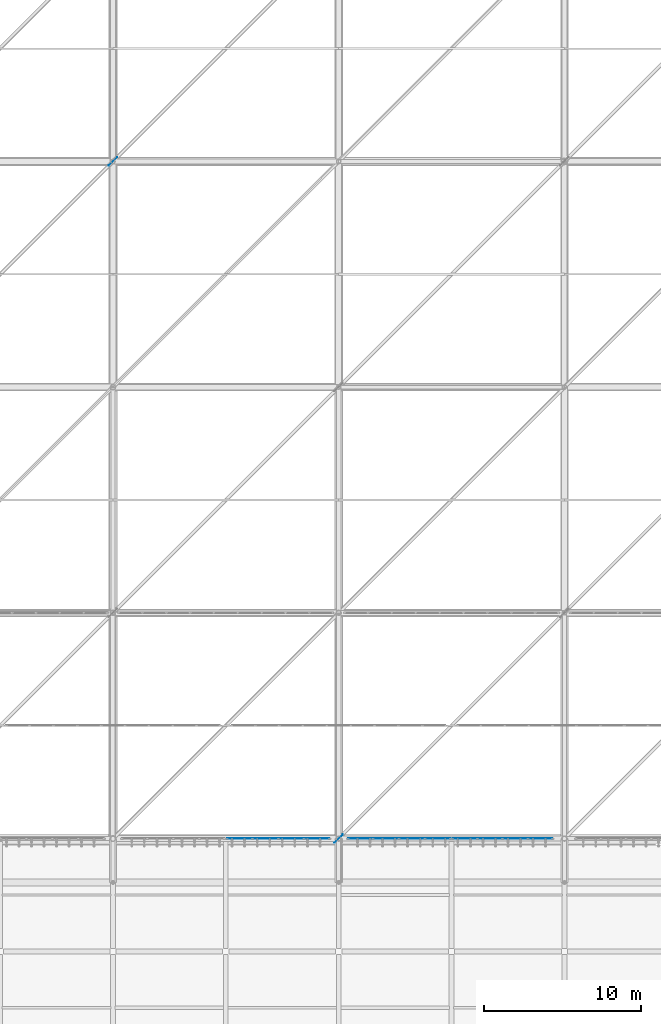
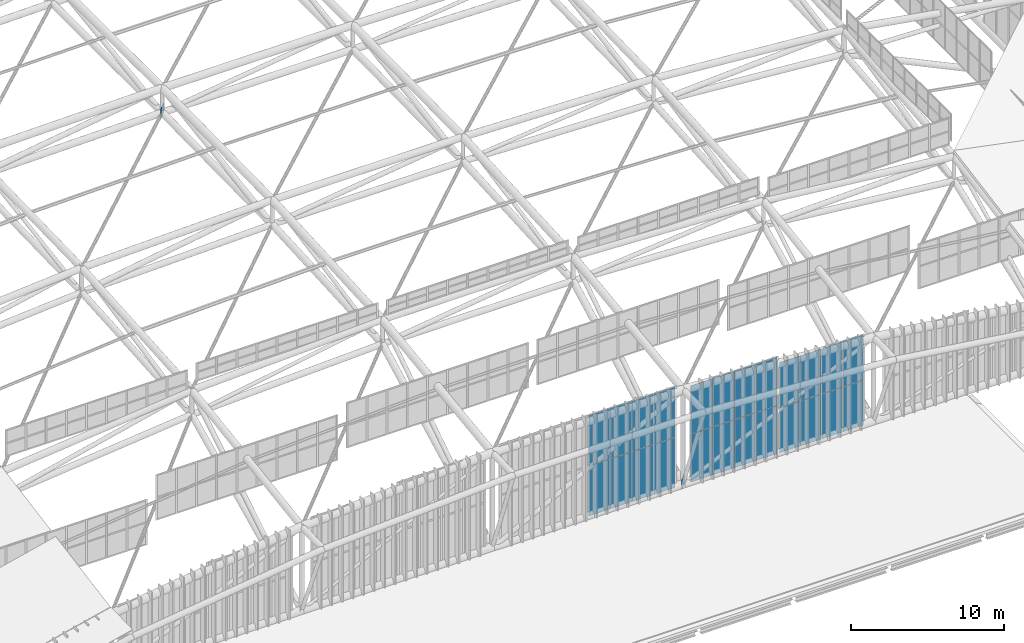
# One storey, part 364 of 397: 26 plates, 3 elements without a shape of their own.
"""IFC4 building model written with IfcOpenShell, lengths in metres."""

from ifc_helpers import new_model, si_unit, direction, frame, origin, origin_2d, place, context, subcontext, project, spatial, rectangle, extrude, material, layer, layer_set, type_object, element, aggregate, save


model = new_model("IFC4")

# Units and contexts
model_context = context("Model", 3, precision=1e-05, world=origin(), true_north=direction((0.0, 1.0)))
body_context = subcontext(model_context, "Body", "Model", "MODEL_VIEW")
ifc_project = project(units=[si_unit("LENGTHUNIT", "METRE"), si_unit("AREAUNIT", "SQUARE_METRE"), si_unit("VOLUMEUNIT", "CUBIC_METRE"), si_unit("PLANEANGLEUNIT", "RADIAN"), si_unit("MASSUNIT", "GRAM", prefix="KILO")], contexts=[model_context])

# Site, building, storey
site_placement = place(None, origin())
site = spatial("IfcSite", under=ifc_project, at=site_placement, CompositionType="ELEMENT")
building_placement = place(site_placement, origin())
building = spatial("IfcBuilding", under=site, at=building_placement, Name="Qandorah Velis Arena", CompositionType="ELEMENT")
storey_placement = place(building_placement, frame((0.0, 0.0, 27.5)))
storey = spatial("IfcBuildingStorey", under=building, at=storey_placement, Name="RF", CompositionType="ELEMENT", Elevation=27.5)

# Curtain wall, plates
ifc_material_1 = material(Name="Solar-control low-E double glazing", Category="glass")
curtain_wall_type_1 = type_object("IfcCurtainWallType", Name="ARC-CW-SYS21", PredefinedType="USERDEFINED", material=ifc_material_1)
curtain_wall_1_placement = place(storey_placement, origin())
curtain_wall_1 = element("IfcCurtainWall", 1, at=curtain_wall_1_placement, inside=storey, type_object=curtain_wall_type_1, Name="Unitised curtain wall CROWN-3-04S2", ObjectType="UNITISED CURTAIN WALL", PredefinedType="USERDEFINED")
ifc_layer_1 = layer(ifc_material_1, 0.035888671875)
ifc_layer_set_1 = layer_set([ifc_layer_1], Name="Solar-control low-E double glazing")
plate_type_1 = type_object("IfcPlateType", Name="ARC-CWP-GLZ36", PredefinedType="CURTAIN_PANEL", material=ifc_layer_set_1)
plate_1_placement = place(storey_placement, frame((65.68115234375, 14.39990234375, 0.050048828125), z_axis=(0.0, 0.0, 1.0), x_axis=(1.0, 0.0, 0.0)))
plate_1 = element("IfcPlate", 2, at=plate_1_placement, type_object=plate_type_1, Name="CW21 panel 1.1", PredefinedType="CURTAIN_PANEL", context=body_context, shape_type="SweptSolid", body=[
    extrude(rectangle(XDim=1.58251953125, YDim=0.035888671875, at=origin_2d()), origin(), (0.0, 0.0, 1.0), 3.990234375),
])
plate_2_placement = place(storey_placement, frame((65.68115234375, 14.39990234375, 4.080078125), z_axis=(0.0, 0.0, 1.0), x_axis=(1.0, 0.0, 0.0)))
plate_2 = element("IfcPlate", 3, at=plate_2_placement, type_object=plate_type_1, Name="CW21 panel 1.2", PredefinedType="CURTAIN_PANEL", context=body_context, shape_type="SweptSolid", body=[
    extrude(rectangle(XDim=1.58251953125, YDim=0.035888671875, at=origin_2d()), origin(), (0.0, 0.0, 1.0), 3.990478515625),
])
plate_3_placement = place(storey_placement, frame((67.31884765625, 14.39990234375, 0.050048828125), z_axis=(0.0, 0.0, 1.0), x_axis=(1.0, 0.0, 0.0)))
plate_3 = element("IfcPlate", 4, at=plate_3_placement, type_object=plate_type_1, Name="CW21 panel 2.1", PredefinedType="CURTAIN_PANEL", context=body_context, shape_type="SweptSolid", body=[
    extrude(rectangle(XDim=1.612548828125, YDim=0.035888671875, at=origin_2d()), origin(), (0.0, 0.0, 1.0), 3.990234375),
])
plate_4_placement = place(storey_placement, frame((67.31884765625, 14.39990234375, 4.080078125), z_axis=(0.0, 0.0, 1.0), x_axis=(1.0, 0.0, 0.0)))
plate_4 = element("IfcPlate", 5, at=plate_4_placement, type_object=plate_type_1, Name="CW21 panel 2.2", PredefinedType="CURTAIN_PANEL", context=body_context, shape_type="SweptSolid", body=[
    extrude(rectangle(XDim=1.612548828125, YDim=0.035888671875, at=origin_2d()), origin(), (0.0, 0.0, 1.0), 3.990478515625),
])
plate_5_placement = place(storey_placement, frame((68.97119140625, 14.39990234375, 0.050048828125), z_axis=(0.0, 0.0, 1.0), x_axis=(1.0, 0.0, 0.0)))
plate_5 = element("IfcPlate", 6, at=plate_5_placement, type_object=plate_type_1, Name="CW21 panel 3.1", PredefinedType="CURTAIN_PANEL", context=body_context, shape_type="SweptSolid", body=[
    extrude(rectangle(XDim=1.612548828125, YDim=0.035888671875, at=origin_2d()), origin(), (0.0, 0.0, 1.0), 3.990234375),
])
plate_6_placement = place(storey_placement, frame((68.97119140625, 14.39990234375, 4.080078125), z_axis=(0.0, 0.0, 1.0), x_axis=(1.0, 0.0, 0.0)))
plate_6 = element("IfcPlate", 7, at=plate_6_placement, type_object=plate_type_1, Name="CW21 panel 3.2", PredefinedType="CURTAIN_PANEL", context=body_context, shape_type="SweptSolid", body=[
    extrude(rectangle(XDim=1.612548828125, YDim=0.035888671875, at=origin_2d()), origin(), (0.0, 0.0, 1.0), 3.990478515625),
])
plate_7_placement = place(storey_placement, frame((70.608642578125, 14.39990234375, 0.050048828125), z_axis=(0.0, 0.0, 1.0), x_axis=(1.0, 0.0, 0.0)))
plate_7 = element("IfcPlate", 8, at=plate_7_placement, type_object=plate_type_1, Name="CW21 panel 4.1", PredefinedType="CURTAIN_PANEL", context=body_context, shape_type="SweptSolid", body=[
    extrude(rectangle(XDim=1.58251953125, YDim=0.035888671875, at=origin_2d()), origin(), (0.0, 0.0, 1.0), 3.990234375),
])
plate_8_placement = place(storey_placement, frame((70.608642578125, 14.39990234375, 4.080078125), z_axis=(0.0, 0.0, 1.0), x_axis=(1.0, 0.0, 0.0)))
plate_8 = element("IfcPlate", 9, at=plate_8_placement, type_object=plate_type_1, Name="CW21 panel 4.2", PredefinedType="CURTAIN_PANEL", context=body_context, shape_type="SweptSolid", body=[
    extrude(rectangle(XDim=1.58251953125, YDim=0.035888671875, at=origin_2d()), origin(), (0.0, 0.0, 1.0), 3.990478515625),
])
aggregate(curtain_wall_1, [plate_1, plate_2, plate_3, plate_4, plate_5, plate_6, plate_7, plate_8])

curtain_wall_2_placement = place(storey_placement, origin())
curtain_wall_2 = element("IfcCurtainWall", 10, at=curtain_wall_2_placement, inside=storey, type_object=curtain_wall_type_1, Name="Unitised curtain wall CROWN-3-05S1", ObjectType="UNITISED CURTAIN WALL", PredefinedType="USERDEFINED")
plate_9_placement = place(storey_placement, frame((73.391357421875, 14.39990234375, 0.0498046875), z_axis=(0.0, 0.0, 1.0), x_axis=(1.0, 0.0, 0.0)))
plate_9 = element("IfcPlate", 11, at=plate_9_placement, type_object=plate_type_1, Name="CW21 panel 1.1", PredefinedType="CURTAIN_PANEL", context=body_context, shape_type="SweptSolid", body=[
    extrude(rectangle(XDim=1.58251953125, YDim=0.035888671875, at=origin_2d()), origin(), (0.0, 0.0, 1.0), 3.828369140625),
])
plate_10_placement = place(storey_placement, frame((73.391357421875, 14.39990234375, 3.91845703125), z_axis=(0.0, 0.0, 1.0), x_axis=(1.0, 0.0, 0.0)))
plate_10 = element("IfcPlate", 12, at=plate_10_placement, type_object=plate_type_1, Name="CW21 panel 1.2", PredefinedType="CURTAIN_PANEL", context=body_context, shape_type="SweptSolid", body=[
    extrude(rectangle(XDim=1.58251953125, YDim=0.035888671875, at=origin_2d()), origin(), (0.0, 0.0, 1.0), 3.828125),
])
plate_11_placement = place(storey_placement, frame((75.02880859375, 14.39990234375, 0.0498046875), z_axis=(0.0, 0.0, 1.0), x_axis=(1.0, 0.0, 0.0)))
plate_11 = element("IfcPlate", 13, at=plate_11_placement, type_object=plate_type_1, Name="CW21 panel 2.1", PredefinedType="CURTAIN_PANEL", context=body_context, shape_type="SweptSolid", body=[
    extrude(rectangle(XDim=1.612548828125, YDim=0.035888671875, at=origin_2d()), origin(), (0.0, 0.0, 1.0), 3.828369140625),
])
plate_12_placement = place(storey_placement, frame((75.02880859375, 14.39990234375, 3.91845703125), z_axis=(0.0, 0.0, 1.0), x_axis=(1.0, 0.0, 0.0)))
plate_12 = element("IfcPlate", 14, at=plate_12_placement, type_object=plate_type_1, Name="CW21 panel 2.2", PredefinedType="CURTAIN_PANEL", context=body_context, shape_type="SweptSolid", body=[
    extrude(rectangle(XDim=1.612548828125, YDim=0.035888671875, at=origin_2d()), origin(), (0.0, 0.0, 1.0), 3.828125),
])
plate_13_placement = place(storey_placement, frame((76.68115234375, 14.39990234375, 0.0498046875), z_axis=(0.0, 0.0, 1.0), x_axis=(1.0, 0.0, 0.0)))
plate_13 = element("IfcPlate", 15, at=plate_13_placement, type_object=plate_type_1, Name="CW21 panel 3.1", PredefinedType="CURTAIN_PANEL", context=body_context, shape_type="SweptSolid", body=[
    extrude(rectangle(XDim=1.612548828125, YDim=0.035888671875, at=origin_2d()), origin(), (0.0, 0.0, 1.0), 3.828369140625),
])
plate_14_placement = place(storey_placement, frame((76.68115234375, 14.39990234375, 3.91845703125), z_axis=(0.0, 0.0, 1.0), x_axis=(1.0, 0.0, 0.0)))
plate_14 = element("IfcPlate", 16, at=plate_14_placement, type_object=plate_type_1, Name="CW21 panel 3.2", PredefinedType="CURTAIN_PANEL", context=body_context, shape_type="SweptSolid", body=[
    extrude(rectangle(XDim=1.612548828125, YDim=0.035888671875, at=origin_2d()), origin(), (0.0, 0.0, 1.0), 3.828125),
])
plate_15_placement = place(storey_placement, frame((78.31884765625, 14.39990234375, 0.0498046875), z_axis=(0.0, 0.0, 1.0), x_axis=(1.0, 0.0, 0.0)))
plate_15 = element("IfcPlate", 17, at=plate_15_placement, type_object=plate_type_1, Name="CW21 panel 4.1", PredefinedType="CURTAIN_PANEL", context=body_context, shape_type="SweptSolid", body=[
    extrude(rectangle(XDim=1.58251953125, YDim=0.035888671875, at=origin_2d()), origin(), (0.0, 0.0, 1.0), 3.828369140625),
])
plate_16_placement = place(storey_placement, frame((78.31884765625, 14.39990234375, 3.91845703125), z_axis=(0.0, 0.0, 1.0), x_axis=(1.0, 0.0, 0.0)))
plate_16 = element("IfcPlate", 18, at=plate_16_placement, type_object=plate_type_1, Name="CW21 panel 4.2", PredefinedType="CURTAIN_PANEL", context=body_context, shape_type="SweptSolid", body=[
    extrude(rectangle(XDim=1.58251953125, YDim=0.035888671875, at=origin_2d()), origin(), (0.0, 0.0, 1.0), 3.828125),
])
aggregate(curtain_wall_2, [plate_9, plate_10, plate_11, plate_12, plate_13, plate_14, plate_15, plate_16])

curtain_wall_type_2 = type_object("IfcCurtainWallType", Name="ARC-CW-SYS22", PredefinedType="USERDEFINED", material=ifc_material_1)
curtain_wall_3_placement = place(storey_placement, origin())
curtain_wall_3 = element("IfcCurtainWall", 19, at=curtain_wall_3_placement, inside=storey, type_object=curtain_wall_type_2, Name="Unitised curtain wall CROWN-3-05S2", ObjectType="UNITISED CURTAIN WALL", PredefinedType="USERDEFINED")
plate_17_placement = place(storey_placement, frame((80.059326171875, 14.39990234375, 0.0498046875), z_axis=(0.0, 0.0, 1.0), x_axis=(1.0, 0.0, 0.0)))
plate_17 = element("IfcPlate", 20, at=plate_17_placement, type_object=plate_type_1, Name="CW22 panel 1.1", PredefinedType="CURTAIN_PANEL", context=body_context, shape_type="SweptSolid", body=[
    extrude(rectangle(XDim=1.538818359375, YDim=0.035888671875, at=origin_2d()), origin(), (0.0, 0.0, 1.0), 3.579833984375),
])
plate_18_placement = place(storey_placement, frame((80.059326171875, 14.39990234375, 3.669921875), z_axis=(0.0, 0.0, 1.0), x_axis=(1.0, 0.0, 0.0)))
plate_18 = element("IfcPlate", 21, at=plate_18_placement, type_object=plate_type_1, Name="CW22 panel 1.2", PredefinedType="CURTAIN_PANEL", context=body_context, shape_type="SweptSolid", body=[
    extrude(rectangle(XDim=1.538818359375, YDim=0.035888671875, at=origin_2d()), origin(), (0.0, 0.0, 1.0), 3.579833984375),
])
plate_19_placement = place(storey_placement, frame((81.653076171875, 14.39990234375, 0.0498046875), z_axis=(0.0, 0.0, 1.0), x_axis=(1.0, 0.0, 0.0)))
plate_19 = element("IfcPlate", 22, at=plate_19_placement, type_object=plate_type_1, Name="CW22 panel 2.1", PredefinedType="CURTAIN_PANEL", context=body_context, shape_type="SweptSolid", body=[
    extrude(rectangle(XDim=1.56884765625, YDim=0.035888671875, at=origin_2d()), origin(), (0.0, 0.0, 1.0), 3.579833984375),
])
plate_20_placement = place(storey_placement, frame((81.653076171875, 14.39990234375, 3.669921875), z_axis=(0.0, 0.0, 1.0), x_axis=(1.0, 0.0, 0.0)))
plate_20 = element("IfcPlate", 23, at=plate_20_placement, type_object=plate_type_1, Name="CW22 panel 2.2", PredefinedType="CURTAIN_PANEL", context=body_context, shape_type="SweptSolid", body=[
    extrude(rectangle(XDim=1.56884765625, YDim=0.035888671875, at=origin_2d()), origin(), (0.0, 0.0, 1.0), 3.579833984375),
])
plate_21_placement = place(storey_placement, frame((83.261962890625, 14.39990234375, 0.0498046875), z_axis=(0.0, 0.0, 1.0), x_axis=(1.0, 0.0, 0.0)))
plate_21 = element("IfcPlate", 24, at=plate_21_placement, type_object=plate_type_1, Name="CW22 panel 3.1", PredefinedType="CURTAIN_PANEL", context=body_context, shape_type="SweptSolid", body=[
    extrude(rectangle(XDim=1.56884765625, YDim=0.035888671875, at=origin_2d()), origin(), (0.0, 0.0, 1.0), 3.579833984375),
])
plate_22_placement = place(storey_placement, frame((83.261962890625, 14.39990234375, 3.669921875), z_axis=(0.0, 0.0, 1.0), x_axis=(1.0, 0.0, 0.0)))
plate_22 = element("IfcPlate", 25, at=plate_22_placement, type_object=plate_type_1, Name="CW22 panel 3.2", PredefinedType="CURTAIN_PANEL", context=body_context, shape_type="SweptSolid", body=[
    extrude(rectangle(XDim=1.56884765625, YDim=0.035888671875, at=origin_2d()), origin(), (0.0, 0.0, 1.0), 3.579833984375),
])
plate_23_placement = place(storey_placement, frame((84.855712890625, 14.39990234375, 0.0498046875), z_axis=(0.0, 0.0, 1.0), x_axis=(1.0, 0.0, 0.0)))
plate_23 = element("IfcPlate", 26, at=plate_23_placement, type_object=plate_type_1, Name="CW22 panel 4.1", PredefinedType="CURTAIN_PANEL", context=body_context, shape_type="SweptSolid", body=[
    extrude(rectangle(XDim=1.538818359375, YDim=0.035888671875, at=origin_2d()), origin(), (0.0, 0.0, 1.0), 3.579833984375),
])
plate_24_placement = place(storey_placement, frame((84.855712890625, 14.39990234375, 3.669921875), z_axis=(0.0, 0.0, 1.0), x_axis=(1.0, 0.0, 0.0)))
plate_24 = element("IfcPlate", 27, at=plate_24_placement, type_object=plate_type_1, Name="CW22 panel 4.2", PredefinedType="CURTAIN_PANEL", context=body_context, shape_type="SweptSolid", body=[
    extrude(rectangle(XDim=1.538818359375, YDim=0.035888671875, at=origin_2d()), origin(), (0.0, 0.0, 1.0), 3.579833984375),
])
aggregate(curtain_wall_3, [plate_17, plate_18, plate_19, plate_20, plate_21, plate_22, plate_23, plate_24])

# Plates
ifc_material_2 = material(Name="Steel S355", Category="steel")
ifc_layer_2 = layer(ifc_material_2, 0.02001953125)
ifc_layer_set_2 = layer_set([ifc_layer_2], Name="Steel S355")
plate_type_2 = type_object("IfcPlateType", Name="STR-PLT-GUS20", PredefinedType="SHEET", material=ifc_layer_set_2)
plate_25_placement = place(storey_placement, frame((57.60009765625, 57.60009765625, 8.40673828125), z_axis=(0.0, 0.0, 1.0), x_axis=(0.707106781187, 0.707106781187, 0.0)))
element("IfcPlate", 28, at=plate_25_placement, inside=storey, type_object=plate_type_2, Name="Space frame gusset plate 3.3", PredefinedType="SHEET", context=body_context, shape_type="SweptSolid", body=[
    extrude(rectangle(XDim=0.75, YDim=0.02001953125, at=origin_2d()), origin(), (0.0, 0.0, 1.0), 0.75),
])
ifc_layer_3 = layer(ifc_material_2, 0.02490234375)
ifc_layer_set_3 = layer_set([ifc_layer_3], Name="Steel S355")
plate_type_3 = type_object("IfcPlateType", Name="STR-PLT-GUS25", PredefinedType="SHEET", material=ifc_layer_set_3)
plate_26_placement = place(storey_placement, frame((72.0, 14.39990234375, -0.125), z_axis=(0.0, 0.0, 1.0), x_axis=(0.707106781187, 0.707106781187, 0.0)))
element("IfcPlate", 29, at=plate_26_placement, inside=storey, type_object=plate_type_3, Name="Space frame gusset plate 4.0", PredefinedType="SHEET", context=body_context, shape_type="SweptSolid", body=[
    extrude(rectangle(XDim=0.75, YDim=0.02490234375, at=origin_2d()), origin(), (0.0, 0.0, 1.0), 0.75),
])

save(model, "model.ifc")
